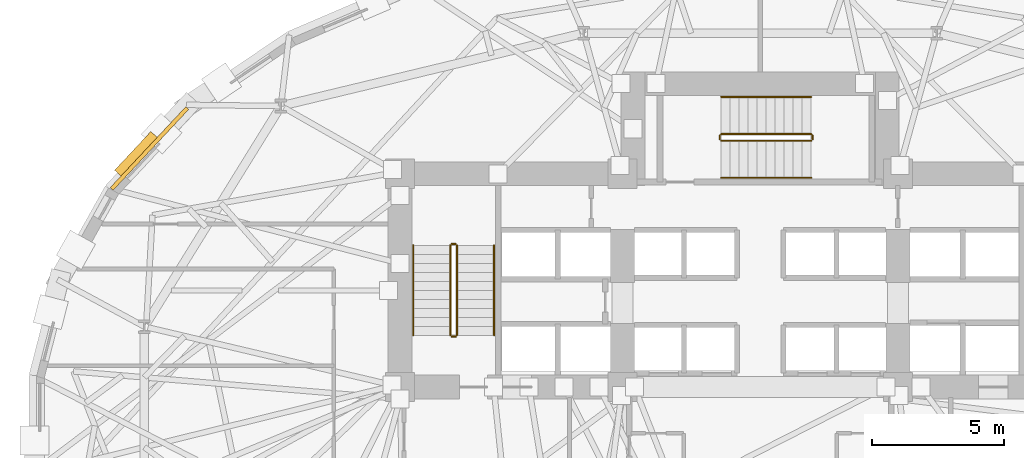
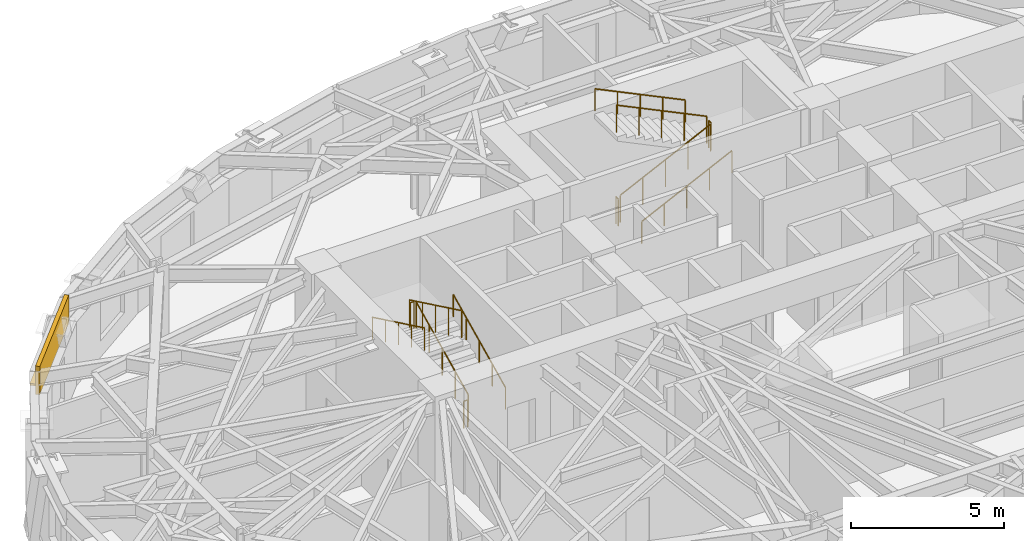
# One storey, part 12 of 14: 12 railings, 1 covering, 1 shading device.
"""IFC4 building model written with IfcOpenShell, lengths in metres."""

from ifc_helpers import new_model, si_unit, direction, frame, origin, origin_2d, place, context, subcontext, project, spatial, rectangle, circle, extrude, material, layer, layer_set, type_object, element, save


model = new_model("IFC4")

# Units and contexts
model_context = context("Model", 3, precision=1e-05, world=origin(), true_north=direction((0.0, 1.0)))
body_context = subcontext(model_context, "Body", "Model", "MODEL_VIEW")
ifc_project = project(units=[si_unit("LENGTHUNIT", "METRE"), si_unit("AREAUNIT", "SQUARE_METRE"), si_unit("VOLUMEUNIT", "CUBIC_METRE"), si_unit("PLANEANGLEUNIT", "RADIAN"), si_unit("MASSUNIT", "GRAM", prefix="KILO")], contexts=[model_context])

# Site, building, storey
site_placement = place(None, origin())
site = spatial("IfcSite", under=ifc_project, at=site_placement, CompositionType="ELEMENT")
building_placement = place(site_placement, origin())
building = spatial("IfcBuilding", under=site, at=building_placement, Name="Keldmark Tower", CompositionType="ELEMENT")
storey_placement = place(building_placement, frame((0.0, 0.0, 48.60009765625)))
storey = spatial("IfcBuildingStorey", under=building, at=storey_placement, Name="L12", CompositionType="ELEMENT", Elevation=48.60009765625)

# Shading device
ifc_material_1 = material(Name="Kasota Buff Limestone Bullnose and Bronze Anodized Aluminum", Category="masonry")
ifc_layer_1 = layer(ifc_material_1, 0.080078125)
ifc_layer_set_1 = layer_set([ifc_layer_1], Name="Kasota Buff Limestone Bullnose and Bronze Anodized Aluminum")
shading_device_type = type_object("IfcShadingDeviceType", Name="Deep-Set Punched Window Stone-and-Metal Sunshade", PredefinedType="AWNING", material=ifc_layer_set_1)
shading_device_placement = place(storey_placement, frame((-23.540283203125, 10.17236328125, 2.35986328125), z_axis=(0.0, 0.0, 1.0), x_axis=(0.683006109341, 0.730412660489, 0.0)))
element("IfcShadingDevice", 1, at=shading_device_placement, inside=storey, type_object=shading_device_type, Name="L12 Kasota Stone Window Sunshade 13", PredefinedType="AWNING", context=body_context, shape_type="SweptSolid", body=[
    extrude(rectangle(XDim=2.0, YDim=0.419921875, at=origin_2d()), origin(), (0.0, 0.0, 1.0), 0.080078125),
])

# Covering
ifc_material_2 = material(Name="Honed Kasota Buff Dolomitic Limestone", Category="masonry")
ifc_layer_2 = layer(ifc_material_2, 0.074951171875)
ifc_layer_set_2 = layer_set([ifc_layer_2], Name="Honed Kasota Buff Dolomitic Limestone")
covering_type = type_object("IfcCoveringType", Name="Kasota Buff Limestone Spandrel Cladding Band", PredefinedType="CLADDING", material=ifc_layer_set_2)
covering_placement = place(storey_placement, frame((-23.060302734375, 10.407470703125, 2.452880859375), z_axis=(0.0, 0.0, 1.0), x_axis=(-0.683006109341, -0.730412660489, 0.0)))
element("IfcCovering", 2, at=covering_placement, inside=storey, type_object=covering_type, Name="L12 Kasota Limestone Spandrel Band 13", PredefinedType="CLADDING", context=body_context, shape_type="SweptSolid", body=[
    extrude(rectangle(XDim=4.177978515625, YDim=0.14990234375, at=origin_2d()), origin(), (0.0, 0.0, 1.0), 1.126953125),
])

# Railings
ifc_material_3 = material(Name="Painted Steel ASTM A500 Grade B", Category="steel")
railing_type_1 = type_object("IfcRailingType", Name="Painted Steel Stair Well Guard 1100 mm", PredefinedType="GUARDRAIL", material=ifc_material_3)
railing_1_placement = place(storey_placement, frame((-11.449951171875, 3.35009765625, 0.16357421875)))
element("IfcRailing", 3, at=railing_1_placement, inside=storey, type_object=railing_type_1, Name="L12 ST1 stair guard 1", PredefinedType="GUARDRAIL", context=body_context, shape_type="SweptSolid", body=[
    extrude(circle(Radius=0.02392578125, at=origin_2d()), frame((0.0, 0.0, 1.076171875), z_axis=(0.0, 0.901080338394, 0.433652192153), x_axis=(-1.0, 0.0, 0.0)), (0.0, 0.0, 1.0), 3.773193359375),
    extrude(circle(Radius=0.02099609375, at=origin_2d()), origin(), (0.0, 0.0, 1.0), 1.052001953125),
    extrude(circle(Radius=0.02099609375, at=origin_2d()), frame((0.0, 0.85009765625, 0.4091796875)), (0.0, 0.0, 1.0), 1.052001953125),
    extrude(circle(Radius=0.02099609375, at=origin_2d()), frame((0.0, 1.699951171875, 0.818115234375)), (0.0, 0.0, 1.0), 1.052001953125),
    extrude(circle(Radius=0.02099609375, at=origin_2d()), frame((0.0, 2.5498046875, 1.22705078125)), (0.0, 0.0, 1.0), 1.052001953125),
    extrude(circle(Radius=0.02099609375, at=origin_2d()), frame((0.0, 3.39990234375, 1.63623046875)), (0.0, 0.0, 1.0), 1.052001953125),
])
railing_2_placement = place(storey_placement, frame((-11.5, 6.800048828125, 1.7998046875)))
element("IfcRailing", 4, at=railing_2_placement, inside=storey, type_object=railing_type_1, Name="L12 ST1 stair guard 2", PredefinedType="GUARDRAIL", context=body_context, shape_type="SweptSolid", body=[
    extrude(circle(Radius=0.02392578125, at=origin_2d()), frame((0.0, 0.0, 1.076171875), z_axis=(-1.0, 0.0, 0.0), x_axis=(0.0, -1.0, 0.0)), (0.0, 0.0, 1.0), 0.14990234375),
    extrude(circle(Radius=0.02099609375, at=origin_2d()), origin(), (0.0, 0.0, 1.0), 1.052001953125),
    extrude(circle(Radius=0.02099609375, at=origin_2d()), frame((-0.14990234375, 0.0, 0.0)), (0.0, 0.0, 1.0), 1.052001953125),
])
railing_3_placement = place(storey_placement, frame((-11.699951171875, 6.75, 1.963623046875)))
element("IfcRailing", 5, at=railing_3_placement, inside=storey, type_object=railing_type_1, Name="L12 ST1 stair guard 3", PredefinedType="GUARDRAIL", context=body_context, shape_type="SweptSolid", body=[
    extrude(circle(Radius=0.02392578125, at=origin_2d()), frame((0.0, 0.0, 1.076171875), z_axis=(0.0, -0.901080338394, 0.433652192153), x_axis=(1.0, 0.0, 0.0)), (0.0, 0.0, 1.0), 3.773193359375),
    extrude(circle(Radius=0.02099609375, at=origin_2d()), origin(), (0.0, 0.0, 1.0), 1.052001953125),
    extrude(circle(Radius=0.02099609375, at=origin_2d()), frame((0.0, -0.85009765625, 0.4091796875)), (0.0, 0.0, 1.0), 1.052001953125),
    extrude(circle(Radius=0.02099609375, at=origin_2d()), frame((0.0, -1.699951171875, 0.818115234375)), (0.0, 0.0, 1.0), 1.052001953125),
    extrude(circle(Radius=0.02099609375, at=origin_2d()), frame((0.0, -2.5498046875, 1.22705078125)), (0.0, 0.0, 1.0), 1.052001953125),
    extrude(circle(Radius=0.02099609375, at=origin_2d()), frame((0.0, -3.39990234375, 1.63623046875)), (0.0, 0.0, 1.0), 1.052001953125),
])
railing_4_placement = place(storey_placement, frame((-11.5, 3.300048828125, 0.0)))
element("IfcRailing", 6, at=railing_4_placement, inside=storey, type_object=railing_type_1, Name="L12 ST1 stair guard 4", PredefinedType="GUARDRAIL", context=body_context, shape_type="SweptSolid", body=[
    extrude(circle(Radius=0.02392578125, at=origin_2d()), frame((0.0, 0.0, 1.076171875), z_axis=(-1.0, 0.0, 0.0), x_axis=(0.0, -1.0, 0.0)), (0.0, 0.0, 1.0), 0.14990234375),
    extrude(circle(Radius=0.02099609375, at=origin_2d()), origin(), (0.0, 0.0, 1.0), 1.052001953125),
    extrude(circle(Radius=0.02099609375, at=origin_2d()), frame((-0.14990234375, 0.0, 0.0)), (0.0, 0.0, 1.0), 1.052001953125),
])
railing_5_placement = place(storey_placement, frame((-1.47509765625, 10.699951171875, 0.16357421875)))
element("IfcRailing", 7, at=railing_5_placement, inside=storey, type_object=railing_type_1, Name="L12 ST3 stair guard 1", PredefinedType="GUARDRAIL", context=body_context, shape_type="SweptSolid", body=[
    extrude(circle(Radius=0.02392578125, at=origin_2d()), frame((0.0, 0.0, 1.076171875), z_axis=(0.901092505359, 0.0, 0.433626909666), x_axis=(0.0, 1.0, 0.0)), (0.0, 0.0, 1.0), 3.7734375),
    extrude(circle(Radius=0.02099609375, at=origin_2d()), origin(), (0.0, 0.0, 1.0), 1.052001953125),
    extrude(circle(Radius=0.02099609375, at=origin_2d()), frame((0.85009765625, 0.0, 0.4091796875)), (0.0, 0.0, 1.0), 1.052001953125),
    extrude(circle(Radius=0.02099609375, at=origin_2d()), frame((1.7001953125, 0.0, 0.818115234375)), (0.0, 0.0, 1.0), 1.052001953125),
    extrude(circle(Radius=0.02099609375, at=origin_2d()), frame((2.550048828125, 0.0, 1.22705078125)), (0.0, 0.0, 1.0), 1.052001953125),
    extrude(circle(Radius=0.02099609375, at=origin_2d()), frame((3.400146484375, 0.0, 1.63623046875)), (0.0, 0.0, 1.0), 1.052001953125),
])
railing_6_placement = place(storey_placement, frame((1.97509765625, 10.75, 1.7998046875)))
element("IfcRailing", 8, at=railing_6_placement, inside=storey, type_object=railing_type_1, Name="L12 ST3 stair guard 2", PredefinedType="GUARDRAIL", context=body_context, shape_type="SweptSolid", body=[
    extrude(circle(Radius=0.02392578125, at=origin_2d()), frame((0.0, 0.0, 1.076171875), z_axis=(0.0, 1.0, 0.0), x_axis=(-1.0, 0.0, 0.0)), (0.0, 0.0, 1.0), 0.14990234375),
    extrude(circle(Radius=0.02099609375, at=origin_2d()), origin(), (0.0, 0.0, 1.0), 1.052001953125),
    extrude(circle(Radius=0.02099609375, at=origin_2d()), frame((0.0, 0.14990234375, 0.0)), (0.0, 0.0, 1.0), 1.052001953125),
])
railing_7_placement = place(storey_placement, frame((1.925048828125, 10.949951171875, 1.963623046875)))
element("IfcRailing", 9, at=railing_7_placement, inside=storey, type_object=railing_type_1, Name="L12 ST3 stair guard 3", PredefinedType="GUARDRAIL", context=body_context, shape_type="SweptSolid", body=[
    extrude(circle(Radius=0.02392578125, at=origin_2d()), frame((0.0, 0.0, 1.076171875), z_axis=(-0.901092505359, 0.0, 0.433626909666), x_axis=(0.0, -1.0, 0.0)), (0.0, 0.0, 1.0), 3.7734375),
    extrude(circle(Radius=0.02099609375, at=origin_2d()), origin(), (0.0, 0.0, 1.0), 1.052001953125),
    extrude(circle(Radius=0.02099609375, at=origin_2d()), frame((-0.85009765625, 0.0, 0.4091796875)), (0.0, 0.0, 1.0), 1.052001953125),
    extrude(circle(Radius=0.02099609375, at=origin_2d()), frame((-1.7001953125, 0.0, 0.818115234375)), (0.0, 0.0, 1.0), 1.052001953125),
    extrude(circle(Radius=0.02099609375, at=origin_2d()), frame((-2.550048828125, 0.0, 1.22705078125)), (0.0, 0.0, 1.0), 1.052001953125),
    extrude(circle(Radius=0.02099609375, at=origin_2d()), frame((-3.400146484375, 0.0, 1.63623046875)), (0.0, 0.0, 1.0), 1.052001953125),
])
railing_8_placement = place(storey_placement, frame((-1.52490234375, 10.75, 0.0)))
element("IfcRailing", 10, at=railing_8_placement, inside=storey, type_object=railing_type_1, Name="L12 ST3 stair guard 4", PredefinedType="GUARDRAIL", context=body_context, shape_type="SweptSolid", body=[
    extrude(circle(Radius=0.02392578125, at=origin_2d()), frame((0.0, 0.0, 1.076171875), z_axis=(0.0, 1.0, 0.0), x_axis=(-1.0, 0.0, 0.0)), (0.0, 0.0, 1.0), 0.14990234375),
    extrude(circle(Radius=0.02099609375, at=origin_2d()), origin(), (0.0, 0.0, 1.0), 1.052001953125),
    extrude(circle(Radius=0.02099609375, at=origin_2d()), frame((0.0, 0.14990234375, 0.0)), (0.0, 0.0, 1.0), 1.052001953125),
])
ifc_material_4 = material(Name="Stainless Steel AISI 316L", Category="steel")
railing_type_2 = type_object("IfcRailingType", Name="Stainless Steel Stair Handrail 900 mm", PredefinedType="HANDRAIL", material=ifc_material_4)
railing_9_placement = place(storey_placement, frame((-10.050048828125, 3.35009765625, 0.16357421875)))
element("IfcRailing", 11, at=railing_9_placement, inside=storey, type_object=railing_type_2, Name="L12 ST1 stair handrail 1", PredefinedType="HANDRAIL", context=body_context, shape_type="SweptSolid", body=[
    extrude(circle(Radius=0.02392578125, at=origin_2d()), frame((0.0, 0.0, 0.8759765625), z_axis=(0.0, 0.901080338394, 0.433652192153), x_axis=(-1.0, 0.0, 0.0)), (0.0, 0.0, 1.0), 3.773193359375),
    extrude(circle(Radius=0.02099609375, at=origin_2d()), origin(), (0.0, 0.0, 1.0), 0.851806640625),
    extrude(circle(Radius=0.02099609375, at=origin_2d()), frame((0.0, 0.85009765625, 0.4091796875)), (0.0, 0.0, 1.0), 0.851806640625),
    extrude(circle(Radius=0.02099609375, at=origin_2d()), frame((0.0, 1.699951171875, 0.818115234375)), (0.0, 0.0, 1.0), 0.851806640625),
    extrude(circle(Radius=0.02099609375, at=origin_2d()), frame((0.0, 2.5498046875, 1.22705078125)), (0.0, 0.0, 1.0), 0.851806640625),
    extrude(circle(Radius=0.02099609375, at=origin_2d()), frame((0.0, 3.39990234375, 1.63623046875)), (0.0, 0.0, 1.0), 0.851806640625),
])
railing_10_placement = place(storey_placement, frame((-13.10009765625, 6.75, 1.963623046875)))
element("IfcRailing", 12, at=railing_10_placement, inside=storey, type_object=railing_type_2, Name="L12 ST1 stair handrail 2", PredefinedType="HANDRAIL", context=body_context, shape_type="SweptSolid", body=[
    extrude(circle(Radius=0.02392578125, at=origin_2d()), frame((0.0, 0.0, 0.8759765625), z_axis=(0.0, -0.901080338394, 0.433652192153), x_axis=(1.0, 0.0, 0.0)), (0.0, 0.0, 1.0), 3.773193359375),
    extrude(circle(Radius=0.02099609375, at=origin_2d()), origin(), (0.0, 0.0, 1.0), 0.851806640625),
    extrude(circle(Radius=0.02099609375, at=origin_2d()), frame((0.0, -0.85009765625, 0.4091796875)), (0.0, 0.0, 1.0), 0.851806640625),
    extrude(circle(Radius=0.02099609375, at=origin_2d()), frame((0.0, -1.699951171875, 0.818115234375)), (0.0, 0.0, 1.0), 0.851806640625),
    extrude(circle(Radius=0.02099609375, at=origin_2d()), frame((0.0, -2.5498046875, 1.22705078125)), (0.0, 0.0, 1.0), 0.851806640625),
    extrude(circle(Radius=0.02099609375, at=origin_2d()), frame((0.0, -3.39990234375, 1.63623046875)), (0.0, 0.0, 1.0), 0.851806640625),
])
railing_11_placement = place(storey_placement, frame((-1.47509765625, 9.300048828125, 0.16357421875)))
element("IfcRailing", 13, at=railing_11_placement, inside=storey, type_object=railing_type_2, Name="L12 ST3 stair handrail 1", PredefinedType="HANDRAIL", context=body_context, shape_type="SweptSolid", body=[
    extrude(circle(Radius=0.02392578125, at=origin_2d()), frame((0.0, 0.0, 0.8759765625), z_axis=(0.901092505359, 0.0, 0.433626909666), x_axis=(0.0, 1.0, 0.0)), (0.0, 0.0, 1.0), 3.7734375),
    extrude(circle(Radius=0.02099609375, at=origin_2d()), origin(), (0.0, 0.0, 1.0), 0.851806640625),
    extrude(circle(Radius=0.02099609375, at=origin_2d()), frame((0.85009765625, 0.0, 0.4091796875)), (0.0, 0.0, 1.0), 0.851806640625),
    extrude(circle(Radius=0.02099609375, at=origin_2d()), frame((1.7001953125, 0.0, 0.818115234375)), (0.0, 0.0, 1.0), 0.851806640625),
    extrude(circle(Radius=0.02099609375, at=origin_2d()), frame((2.550048828125, 0.0, 1.22705078125)), (0.0, 0.0, 1.0), 0.851806640625),
    extrude(circle(Radius=0.02099609375, at=origin_2d()), frame((3.400146484375, 0.0, 1.63623046875)), (0.0, 0.0, 1.0), 0.851806640625),
])
railing_12_placement = place(storey_placement, frame((1.925048828125, 12.35009765625, 1.963623046875)))
element("IfcRailing", 14, at=railing_12_placement, inside=storey, type_object=railing_type_2, Name="L12 ST3 stair handrail 2", PredefinedType="HANDRAIL", context=body_context, shape_type="SweptSolid", body=[
    extrude(circle(Radius=0.02392578125, at=origin_2d()), frame((0.0, 0.0, 0.8759765625), z_axis=(-0.901092505359, 0.0, 0.433626909666), x_axis=(0.0, -1.0, 0.0)), (0.0, 0.0, 1.0), 3.7734375),
    extrude(circle(Radius=0.02099609375, at=origin_2d()), origin(), (0.0, 0.0, 1.0), 0.851806640625),
    extrude(circle(Radius=0.02099609375, at=origin_2d()), frame((-0.85009765625, 0.0, 0.4091796875)), (0.0, 0.0, 1.0), 0.851806640625),
    extrude(circle(Radius=0.02099609375, at=origin_2d()), frame((-1.7001953125, 0.0, 0.818115234375)), (0.0, 0.0, 1.0), 0.851806640625),
    extrude(circle(Radius=0.02099609375, at=origin_2d()), frame((-2.550048828125, 0.0, 1.22705078125)), (0.0, 0.0, 1.0), 0.851806640625),
    extrude(circle(Radius=0.02099609375, at=origin_2d()), frame((-3.400146484375, 0.0, 1.63623046875)), (0.0, 0.0, 1.0), 0.851806640625),
])

save(model, "model.ifc")
